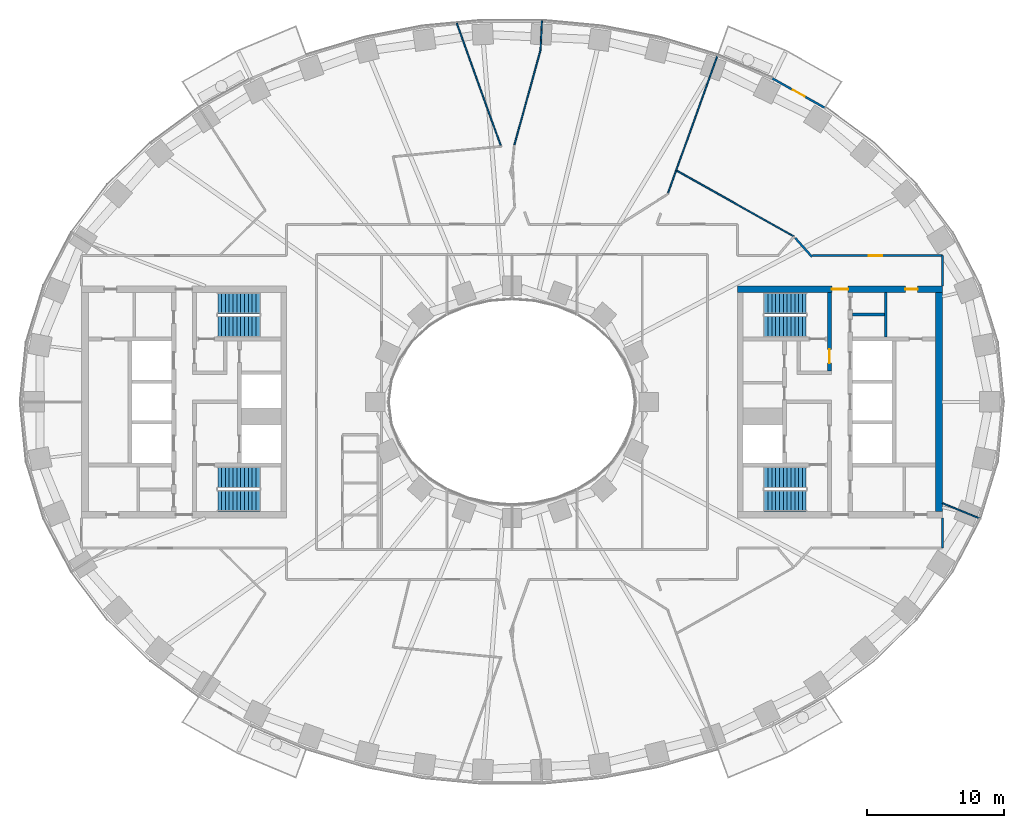
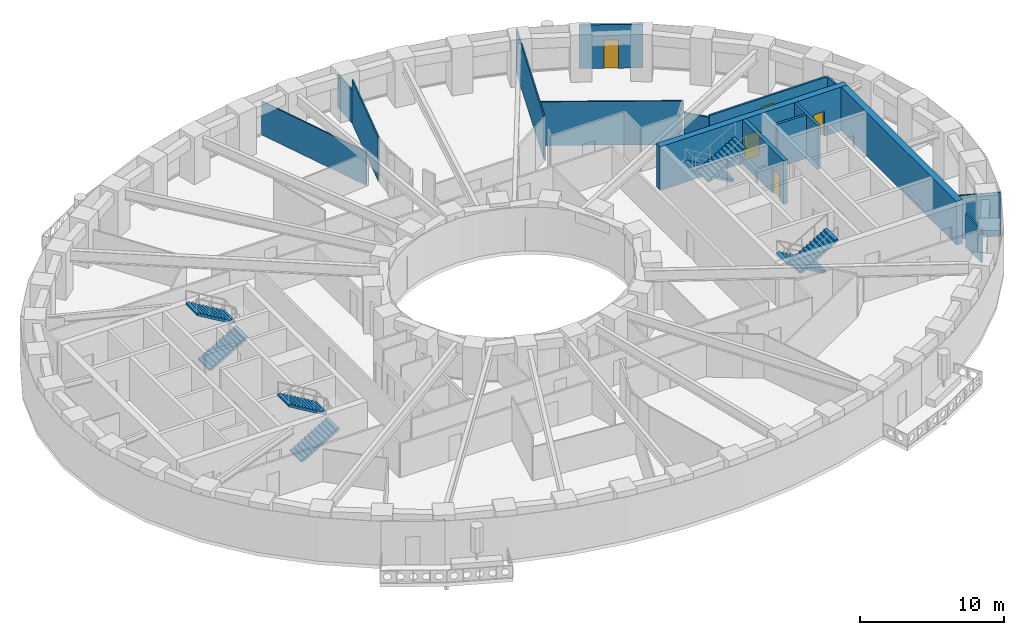
# One storey, part 7 of 15: 16 walls, 8 stair flights, 5 doors, 5 openings, 4 elements without a shape of their own.
"""IFC4 building model written with IfcOpenShell, lengths in metres."""

from ifc_helpers import new_model, si_unit, direction, frame, frame_2d, origin, place, context, subcontext, project, spatial, polyline, rectangle, outline, extrude, material, layer, layer_set, type_object, element, fill, aggregate, save


model = new_model("IFC4")

# Units and contexts
model_context = context("Model", 3, precision=1e-05, world=origin(), true_north=direction((0.0, 1.0)))
body_context = subcontext(model_context, "Body", "Model", "MODEL_VIEW")
ifc_project = project(units=[si_unit("LENGTHUNIT", "METRE"), si_unit("AREAUNIT", "SQUARE_METRE"), si_unit("VOLUMEUNIT", "CUBIC_METRE"), si_unit("PLANEANGLEUNIT", "RADIAN"), si_unit("MASSUNIT", "GRAM", prefix="KILO")], contexts=[model_context])

# Site, building, storey
site_placement = place(None, origin())
site = spatial("IfcSite", under=ifc_project, at=site_placement, CompositionType="ELEMENT")
building_placement = place(site_placement, origin())
building = spatial("IfcBuilding", under=site, at=building_placement, Name="Noorbagh Ring Tower", CompositionType="ELEMENT")
storey_placement = place(building_placement, frame((0.0, 0.0, 50.5)))
storey = spatial("IfcBuildingStorey", under=building, at=storey_placement, Name="L10", CompositionType="ELEMENT", Elevation=50.5)

# Walls
ifc_material_1 = material(Name="Gypsum board on steel studs", Category="steel")
ifc_layer_1 = layer(ifc_material_1, 0.199951171875)
ifc_layer_set_1 = layer_set([ifc_layer_1], Name="Gypsum board on steel studs")
wall_type_1 = type_object("IfcWallType", Name="CORE-PARTITION-200", PredefinedType="PARTITIONING", material=ifc_layer_set_1)
wall_1_placement = place(storey_placement, frame((27.35009765625, 4.75, 0.0), z_axis=(0.0, 0.0, 1.0), x_axis=(0.0, 1.0, 0.0)))
element("IfcWall", 1, at=wall_1_placement, inside=storey, type_object=wall_type_1, Name="Core partition E", PredefinedType="PARTITIONING", context=body_context, shape_type="SweptSolid", body=[
    extrude(rectangle(XDim=3.25, YDim=0.199951171875, at=frame_2d((1.625, 0.0))), origin(), (0.0, 0.0, 1.0), 3.699951171875),
])
wall_2_placement = place(storey_placement, frame((24.89990234375, 6.39990234375, 0.0), z_axis=(0.0, 0.0, 1.0), x_axis=(1.0, 0.0, 0.0)))
element("IfcWall", 2, at=wall_2_placement, inside=storey, type_object=wall_type_1, Name="Core partition E", PredefinedType="PARTITIONING", context=body_context, shape_type="SweptSolid", body=[
    extrude(rectangle(XDim=2.35009765625, YDim=0.199951171875, at=frame_2d((1.175048828125, 0.0))), origin(), (0.0, 0.0, 1.0), 3.699951171875),
])

# Wall, opening, door
ifc_material_2 = material(Name="Concrete C70/85", Category="concrete")
ifc_layer_2 = layer(ifc_material_2, 0.300048828125)
ifc_layer_set_2 = layer_set([ifc_layer_2], Name="Concrete C70/85")
wall_type_2 = type_object("IfcWallType", Name="CORE-WALL-300-C70-85-EI240", PredefinedType="SHEAR", material=ifc_layer_set_2)
wall_3_placement = place(storey_placement, frame((23.22998046875, 2.25, 0.0), z_axis=(0.0, 0.0, 1.0), x_axis=(0.0, 1.0, 0.0)))
wall_3 = element("IfcWall", 3, at=wall_3_placement, inside=storey, type_object=wall_type_2, Name="Core wall E", PredefinedType="SHEAR", context=body_context, shape_type="SweptSolid", body=[
    extrude(rectangle(XDim=5.75, YDim=0.300048828125, at=frame_2d((2.875, 0.0))), origin(), (0.0, 0.0, 1.0), 3.699951171875),
])
opening_1_placement = place(wall_3_placement, frame((0.60009765625, 0.0, 0.0)))
opening_1 = element("IfcOpeningElement", 4, at=opening_1_placement, cuts=wall_3, Name="Opening L10-CE08", PredefinedType="OPENING", context=body_context, shape_type="SweptSolid", body=[
    extrude(rectangle(XDim=1.0, YDim=2.10009765625, at=frame_2d((0.5, 1.050048828125))), frame((0.0, 0.16015625, 0.0), z_axis=(0.0, -1.0, 0.0), x_axis=(1.0, 0.0, 0.0)), (0.0, 0.0, 1.0), 0.320068359375),
])
ifc_material_3 = material(Name="Steel door leaf", Category="steel")
door_type_1 = type_object("IfcDoorType", Name="CORE-DOOR-DVEST", OperationType="SINGLE_SWING_LEFT", PredefinedType="DOOR", material=ifc_material_3)
door_1_placement = place(opening_1_placement, origin())
door_1 = element("IfcDoor", 5, at=door_1_placement, inside=storey, type_object=door_type_1, Name="Stair vestibule door L10-CE08", OperationType="SINGLE_SWING_RIGHT", OverallHeight=2.10009765625, OverallWidth=1.0, PredefinedType="DOOR", context=body_context, shape_type="SweptSolid", body=[
    extrude(rectangle(XDim=1.0, YDim=2.10009765625, at=frame_2d((0.5, 1.050048828125))), frame((0.0, 0.02490234375, 0.0), z_axis=(0.0, -1.0, 0.0), x_axis=(1.0, 0.0, 0.0)), (0.0, 0.0, 1.0), 0.050048828125),
])
fill(opening_1, door_1)

# Wall, openings, doors
ifc_material_4 = material(Name="Concrete C70/85", Category="concrete")
ifc_layer_3 = layer(ifc_material_4, 0.5)
ifc_layer_set_3 = layer_set([ifc_layer_3], Name="Concrete C70/85")
wall_type_3 = type_object("IfcWallType", Name="CORE-WALL-500-C70-85-EI240", PredefinedType="SHEAR", material=ifc_layer_set_3)
wall_4_placement = place(storey_placement, frame((16.5, 8.25, 0.0), z_axis=(0.0, 0.0, 1.0), x_axis=(1.0, 0.0, 0.0)))
wall_4 = element("IfcWall", 6, at=wall_4_placement, inside=storey, type_object=wall_type_3, Name="Core wall E", PredefinedType="SHEAR", context=body_context, shape_type="SweptSolid", body=[
    extrude(rectangle(XDim=15.0, YDim=0.5, at=frame_2d((7.5, 0.0))), origin(), (0.0, 0.0, 1.0), 3.699951171875),
])
opening_2_placement = place(wall_4_placement, frame((6.89990234375, 0.0, 0.0)))
opening_2 = element("IfcOpeningElement", 7, at=opening_2_placement, cuts=wall_4, Name="Opening L10-CE09", PredefinedType="OPENING", context=body_context, shape_type="SweptSolid", body=[
    extrude(rectangle(XDim=1.199951171875, YDim=2.10009765625, at=frame_2d((0.60009765625, 1.050048828125))), frame((0.0, 0.260009765625, 0.0), z_axis=(0.0, -1.0, 0.0), x_axis=(1.0, 0.0, 0.0)), (0.0, 0.0, 1.0), 0.52001953125),
])
opening_3_placement = place(wall_4_placement, frame((12.27490234375, 0.0, 0.0)))
opening_3 = element("IfcOpeningElement", 8, at=opening_3_placement, cuts=wall_4, Name="Opening L10-CE15", PredefinedType="OPENING", context=body_context, shape_type="SweptSolid", body=[
    extrude(rectangle(XDim=0.89990234375, YDim=2.10009765625, at=frame_2d((0.449951171875, 1.050048828125))), frame((0.0, 0.260009765625, 0.0), z_axis=(0.0, -1.0, 0.0), x_axis=(1.0, 0.0, 0.0)), (0.0, 0.0, 1.0), 0.52001953125),
])
ifc_material_5 = material(Name="Steel door leaf", Category="steel")
door_type_2 = type_object("IfcDoorType", Name="CORE-DOOR-DROOM", OperationType="SINGLE_SWING_LEFT", PredefinedType="DOOR", material=ifc_material_5)
door_2_placement = place(opening_3_placement, origin())
door_2 = element("IfcDoor", 9, at=door_2_placement, inside=storey, type_object=door_type_2, Name="Core room door L10-CE15", OperationType="SINGLE_SWING_LEFT", OverallHeight=2.10009765625, OverallWidth=0.89990234375, PredefinedType="DOOR", context=body_context, shape_type="SweptSolid", body=[
    extrude(rectangle(XDim=0.89990234375, YDim=2.10009765625, at=frame_2d((0.449951171875, 1.050048828125))), frame((0.0, 0.02490234375, 0.0), z_axis=(0.0, -1.0, 0.0), x_axis=(1.0, 0.0, 0.0)), (0.0, 0.0, 1.0), 0.050048828125),
])
fill(opening_3, door_2)
ifc_material_6 = material(Name="Steel door leaf", Category="steel")
door_type_3 = type_object("IfcDoorType", Name="CORE-DOOR-PORT", OperationType="DOUBLE_DOOR_DOUBLE_SWING", PredefinedType="DOOR", material=ifc_material_6)
door_3_placement = place(opening_2_placement, origin())
door_3 = element("IfcDoor", 10, at=door_3_placement, inside=storey, type_object=door_type_3, Name="Core entrance door L10-CE09", OperationType="DOUBLE_DOOR_DOUBLE_SWING", OverallHeight=2.10009765625, OverallWidth=1.199951171875, PredefinedType="DOOR", context=body_context, shape_type="SweptSolid", body=[
    extrude(rectangle(XDim=1.199951171875, YDim=2.10009765625, at=frame_2d((0.60009765625, 1.050048828125))), frame((0.0, 0.02490234375, 0.0), z_axis=(0.0, -1.0, 0.0), x_axis=(1.0, 0.0, 0.0)), (0.0, 0.0, 1.0), 0.050048828125),
])
fill(opening_2, door_3)

# Walls
wall_5_placement = place(storey_placement, frame((31.25, -8.0, 0.0), z_axis=(0.0, 0.0, 1.0), x_axis=(0.0, 1.0, 0.0)))
element("IfcWall", 11, at=wall_5_placement, inside=storey, type_object=wall_type_3, Name="Core wall E", PredefinedType="SHEAR", context=body_context, shape_type="SweptSolid", body=[
    extrude(rectangle(XDim=16.0, YDim=0.5, at=frame_2d((8.0, 0.0))), origin(), (0.0, 0.0, 1.0), 3.699951171875),
])
ifc_material_7 = material(Name="Gypsum board on steel studs", Category="steel")
ifc_layer_4 = layer(ifc_material_7, 0.14990234375)
ifc_layer_set_4 = layer_set([ifc_layer_4], Name="Gypsum board on steel studs")
wall_type_4 = type_object("IfcWallType", Name="CORRIDOR PARTITION 150 EI 30", PredefinedType="PARTITIONING", material=ifc_layer_set_4)
wall_6_placement = place(storey_placement, frame((20.72705078125, 11.993896484375, 0.0), z_axis=(0.0, 0.0, 1.0), x_axis=(0.663767495264, -0.747938976275, 0.0)))
element("IfcWall", 12, at=wall_6_placement, inside=storey, type_object=wall_type_4, Name="L10/wall/P81", PredefinedType="PARTITIONING", context=body_context, shape_type="SweptSolid", body=[
    extrude(rectangle(XDim=1.830322265625, YDim=0.14990234375, at=frame_2d((0.9150390625, 0.0))), origin(), (0.0, 0.0, 1.0), 2.75),
])

# Wall, opening, door
wall_7_placement = place(storey_placement, frame((21.97509765625, 10.699951171875, 0.0), z_axis=(0.0, 0.0, 1.0), x_axis=(1.0, 0.0, 0.0)))
wall_7 = element("IfcWall", 13, at=wall_7_placement, inside=storey, type_object=wall_type_4, Name="L10/wall/P83", PredefinedType="PARTITIONING", context=body_context, shape_type="SweptSolid", body=[
    extrude(rectangle(XDim=9.52490234375, YDim=0.14990234375, at=frame_2d((4.762451171875, 0.0))), origin(), (0.0, 0.0, 1.0), 2.85009765625),
])
opening_4_placement = place(wall_7_placement, frame((4.125, 0.0, 0.0)))
opening_4 = element("IfcOpeningElement", 14, at=opening_4_placement, cuts=wall_7, Name="Opening D1", PredefinedType="OPENING", context=body_context, shape_type="SweptSolid", body=[
    extrude(rectangle(XDim=1.0, YDim=2.10009765625, at=frame_2d((0.5, 1.050048828125))), frame((0.0, 0.0849609375, 0.0), z_axis=(0.0, -1.0, 0.0), x_axis=(1.0, 0.0, 0.0)), (0.0, 0.0, 1.0), 0.169921875),
])
ifc_material_8 = material(Name="Timber, painted", Category="wood")
door_type_4 = type_object("IfcDoorType", Name="DOOR 1000 X 2100 FD30", OperationType="SINGLE_SWING_LEFT", PredefinedType="DOOR", material=ifc_material_8)
door_4_placement = place(opening_4_placement, origin())
door_4 = element("IfcDoor", 15, at=door_4_placement, inside=storey, type_object=door_type_4, Name="L10-D19", OperationType="SINGLE_SWING_LEFT", OverallHeight=2.10009765625, OverallWidth=1.0, PredefinedType="DOOR", context=body_context, shape_type="SweptSolid", body=[
    extrude(rectangle(XDim=1.0, YDim=2.10009765625, at=frame_2d((0.5, 1.050048828125))), frame((0.0, 0.02490234375, 0.0), z_axis=(0.0, -1.0, 0.0), x_axis=(1.0, 0.0, 0.0)), (0.0, 0.0, 1.0), 0.050048828125),
])
fill(opening_4, door_4)

# Walls
for number, where, z_axis, x_axis, name in (
    (16, (31.5, -10.699951171875, 0.0), (0.0, 0.0, 1.0), (0.0, 1.0, 0.0), "L10/wall/P84"),
    (17, (31.5, 8.5, 0.0), (0.0, 0.0, 1.0), (0.0, 1.0, 0.0), "L10/wall/P86"),
):
    element("IfcWall", number, at=place(storey_placement, frame(where, z_axis=z_axis, x_axis=x_axis)), inside=storey, type_object=wall_type_4, Name=name, PredefinedType="PARTITIONING", context=body_context, shape_type="SweptSolid", body=[
        extrude(rectangle(XDim=2.199951171875, YDim=0.14990234375, at=frame_2d((1.10009765625, 0.0))), origin(), (0.0, 0.0, 1.0), 2.85009765625),
    ])

# Wall, opening, door
ifc_material_9 = material(Name="Insulated aluminium clad panel", Category="aluminium")
ifc_layer_5 = layer(ifc_material_9, 0.14990234375)
ifc_layer_set_5 = layer_set([ifc_layer_5], Name="Insulated aluminium clad panel")
wall_type_5 = type_object("IfcWallType", Name="ENV-WALL-DOOR", PredefinedType="STANDARD", material=ifc_layer_set_5)
wall_8_placement = place(storey_placement, frame((22.913330078125, 21.508544921875, 0.0), z_axis=(0.0, 0.0, 1.0), x_axis=(-0.872046572975, 0.489422899509, 0.0)))
wall_8 = element("IfcWall", 18, at=wall_8_placement, inside=storey, type_object=wall_type_5, Name="Balcony door wall chord 07", PredefinedType="STANDARD", context=body_context, shape_type="SweptSolid", body=[
    extrude(rectangle(XDim=4.425537109375, YDim=0.14990234375, at=frame_2d((2.212890625, 0.0))), origin(), (0.0, 0.0, 1.0), 3.699951171875),
])
opening_5_placement = place(wall_8_placement, frame((1.712646484375, 0.0, 0.0)))
opening_5 = element("IfcOpeningElement", 19, at=opening_5_placement, cuts=wall_8, Name="Opening D-BL", PredefinedType="OPENING", context=body_context, shape_type="SweptSolid", body=[
    extrude(rectangle(XDim=1.0, YDim=2.39990234375, at=frame_2d((0.5, 1.199951171875))), frame((0.0, 0.0849609375, 0.0), z_axis=(0.0, -1.0, 0.0), x_axis=(1.0, 0.0, 0.0)), (0.0, 0.0, 1.0), 0.169921875),
])
ifc_material_10 = material(Name="Aluminium and glass", Category="aluminium")
door_type_5 = type_object("IfcDoorType", Name="ENV-DOOR-BALCONY", OperationType="SINGLE_SWING_LEFT", PredefinedType="DOOR", material=ifc_material_10)
door_5_placement = place(opening_5_placement, origin())
door_5 = element("IfcDoor", 20, at=door_5_placement, inside=storey, type_object=door_type_5, Name="Balcony door chord 07", OperationType="SINGLE_SWING_LEFT", OverallHeight=2.39990234375, OverallWidth=1.0, PredefinedType="DOOR", context=body_context, shape_type="SweptSolid", body=[
    extrude(rectangle(XDim=1.0, YDim=2.39990234375, at=frame_2d((0.5, 1.199951171875))), frame((0.0, 0.02490234375, 0.0), z_axis=(0.0, -1.0, 0.0), x_axis=(1.0, 0.0, 0.0)), (0.0, 0.0, 1.0), 0.050048828125),
])
fill(opening_5, door_5)

# Walls
ifc_material_11 = material(Name="Gypsum board on steel studs", Category="steel")
ifc_layer_6 = layer(ifc_material_11, 0.10009765625)
ifc_layer_set_6 = layer_set([ifc_layer_6], Name="Gypsum board on steel studs")
wall_type_6 = type_object("IfcWallType", Name="PARTITION 100 GYPSUM", PredefinedType="PARTITIONING", material=ifc_layer_set_6)
wall_9_placement = place(storey_placement, frame((-4.0458984375, 27.717041015625, 0.0), z_axis=(0.0, 0.0, 1.0), x_axis=(0.338447260677, -0.940985362129, 0.0)))
element("IfcWall", 21, at=wall_9_placement, inside=storey, type_object=wall_type_6, Name="L10/wall/P37", PredefinedType="PARTITIONING", context=body_context, shape_type="SweptSolid", body=[
    extrude(rectangle(XDim=9.5283203125, YDim=0.10009765625, at=frame_2d((4.76416015625, 0.0))), origin(), (0.0, 0.0, 1.0), 2.85009765625),
])
wall_10_placement = place(storey_placement, frame((0.172119140625, 18.7958984375, 0.0), z_axis=(0.0, 0.0, 1.0), x_axis=(0.265628515821, 0.964075459486, 0.0)))
element("IfcWall", 22, at=wall_10_placement, inside=storey, type_object=wall_type_6, Name="L10/wall/P51", PredefinedType="PARTITIONING", context=body_context, shape_type="SweptSolid", body=[
    extrude(rectangle(XDim=7.212158203125, YDim=0.10009765625, at=frame_2d((3.60595703125, 0.0))), origin(), (0.0, 0.0, 1.0), 3.699951171875),
])
wall_11_placement = place(storey_placement, frame((2.089111328125, 25.77001953125, 0.0), z_axis=(0.0, 0.0, 1.0), x_axis=(0.04733101585, 0.99887925944, 0.0)))
element("IfcWall", 23, at=wall_11_placement, inside=storey, type_object=wall_type_6, Name="L10/wall/P57", PredefinedType="PARTITIONING", context=body_context, shape_type="SweptSolid", body=[
    extrude(rectangle(XDim=2.13037109375, YDim=0.10009765625, at=frame_2d((1.065185546875, 0.0))), origin(), (0.0, 0.0, 1.0), 2.85009765625),
])
wall_12_placement = place(storey_placement, frame((11.4169921875, 15.281982421875, 0.0), z_axis=(0.0, 0.0, 1.0), x_axis=(0.338283704349, 0.941044172912, 0.0)))
element("IfcWall", 24, at=wall_12_placement, inside=storey, type_object=wall_type_6, Name="L10/wall/P70", PredefinedType="PARTITIONING", context=body_context, shape_type="SweptSolid", body=[
    extrude(rectangle(XDim=10.73388671875, YDim=0.10009765625, at=frame_2d((5.366943359375, 0.0))), origin(), (0.0, 0.0, 1.0), 3.699951171875),
])
wall_13_placement = place(storey_placement, frame((12.06005859375, 16.924072265625, 0.0), z_axis=(0.0, 0.0, 1.0), x_axis=(0.871847863021, -0.489776789718, 0.0)))
element("IfcWall", 25, at=wall_13_placement, inside=storey, type_object=wall_type_6, Name="L10/wall/P72", PredefinedType="PARTITIONING", context=body_context, shape_type="SweptSolid", body=[
    extrude(rectangle(XDim=9.83544921875, YDim=0.10009765625, at=frame_2d((4.917724609375, 0.0))), origin(), (0.0, 0.0, 1.0), 3.699951171875),
])
wall_14_placement = place(storey_placement, frame((31.5, -7.409912109375, 0.0), z_axis=(0.0, 0.0, 1.0), x_axis=(0.925344112436, -0.379128307542, 0.0)))
element("IfcWall", 26, at=wall_14_placement, inside=storey, type_object=wall_type_6, Name="L10/wall/P85", PredefinedType="PARTITIONING", context=body_context, shape_type="SweptSolid", body=[
    extrude(rectangle(XDim=2.954345703125, YDim=0.10009765625, at=frame_2d((1.47705078125, 0.0))), origin(), (0.0, 0.0, 1.0), 3.699951171875),
])

# Stair, stair flights
ifc_material_12 = material(Name="Concrete C40/50", Category="concrete")
stair_type = type_object("IfcStairType", Name="CORE-STAIR", PredefinedType="HALF_TURN_STAIR", material=ifc_material_12)
stair_1_placement = place(storey_placement, origin())
stair_1 = element("IfcStair", 27, at=stair_1_placement, inside=storey, type_object=stair_type, Name="L10 Exit stair ST1", PredefinedType="HALF_TURN_STAIR")
ifc_material_13 = material(Name="Concrete C40/50", Category="concrete")
stair_flight_type = type_object("IfcStairFlightType", Name="CORE-STAIR-FLIGHT", PredefinedType="STRAIGHT", material=ifc_material_13)
stair_flight_1_placement = place(storey_placement, frame((-21.530029296875, 5.52490234375, 0.0), z_axis=(0.0, 0.0, 1.0), x_axis=(1.0, 0.0, 0.0)))
stair_flight_1 = element("IfcStairFlight", 28, at=stair_flight_1_placement, type_object=stair_flight_type, Name="ST1 flight 1", NumberOfRisers=12, NumberOfTreads=11, PredefinedType="STRAIGHT", RiserHeight=0.166666667, TreadLength=0.28, context=body_context, shape_type="SweptSolid", body=[
    extrude(outline(polyline([(0.0, 0.0), (0.0, 0.166748046875), (0.280029296875, 0.166748046875), (0.280029296875, 0.333251953125), (0.56005859375, 0.333251953125), (0.56005859375, 0.5), (0.840087890625, 0.5), (0.840087890625, 0.666748046875), (1.1201171875, 0.666748046875), (1.1201171875, 0.833251953125), (1.39990234375, 0.833251953125), (1.39990234375, 1.0), (1.679931640625, 1.0), (1.679931640625, 1.166748046875), (1.9599609375, 1.166748046875), (1.9599609375, 1.333251953125), (2.239990234375, 1.333251953125), (2.239990234375, 1.5), (2.52001953125, 1.5), (2.52001953125, 1.666748046875), (2.800048828125, 1.666748046875), (2.800048828125, 1.833251953125), (3.080078125, 1.833251953125), (3.080078125, 2.0), (3.080078125, 1.658935546875), (0.29296875, 0.0), (0.0, 0.0)])), frame((0.0, 0.77490234375, 0.0), z_axis=(0.0, -1.0, 0.0), x_axis=(1.0, 0.0, 0.0)), (0.0, 0.0, 1.0), 1.550048828125),
])
stair_flight_2_placement = place(storey_placement, frame((-18.449951171875, 7.22509765625, 2.0), z_axis=(0.0, 0.0, 1.0), x_axis=(-1.0, 0.0, 0.0)))
stair_flight_2 = element("IfcStairFlight", 29, at=stair_flight_2_placement, type_object=stair_flight_type, Name="ST1 flight 2", NumberOfRisers=12, NumberOfTreads=11, PredefinedType="STRAIGHT", RiserHeight=0.166666667, TreadLength=0.28, context=body_context, shape_type="SweptSolid", body=[
    extrude(outline(polyline([(0.0, 0.0), (0.0, 0.166748046875), (0.280029296875, 0.166748046875), (0.280029296875, 0.333251953125), (0.56005859375, 0.333251953125), (0.56005859375, 0.5), (0.840087890625, 0.5), (0.840087890625, 0.666748046875), (1.1201171875, 0.666748046875), (1.1201171875, 0.833251953125), (1.39990234375, 0.833251953125), (1.39990234375, 1.0), (1.679931640625, 1.0), (1.679931640625, 1.166748046875), (1.9599609375, 1.166748046875), (1.9599609375, 1.333251953125), (2.239990234375, 1.333251953125), (2.239990234375, 1.5), (2.52001953125, 1.5), (2.52001953125, 1.666748046875), (2.800048828125, 1.666748046875), (2.800048828125, 1.833251953125), (3.080078125, 1.833251953125), (3.080078125, 2.0), (3.080078125, 1.658935546875), (0.29296875, 0.0), (0.0, 0.0)])), frame((0.0, 0.77490234375, 0.0), z_axis=(0.0, -1.0, 0.0), x_axis=(1.0, 0.0, 0.0)), (0.0, 0.0, 1.0), 1.550048828125),
])
aggregate(stair_1, [stair_flight_1, stair_flight_2])

stair_2_placement = place(storey_placement, origin())
stair_2 = element("IfcStair", 30, at=stair_2_placement, inside=storey, type_object=stair_type, Name="L10 Exit stair ST2", PredefinedType="HALF_TURN_STAIR")
stair_flight_3_placement = place(storey_placement, frame((-21.530029296875, -7.22509765625, 0.0), z_axis=(0.0, 0.0, 1.0), x_axis=(1.0, 0.0, 0.0)))
stair_flight_3 = element("IfcStairFlight", 31, at=stair_flight_3_placement, type_object=stair_flight_type, Name="ST2 flight 1", NumberOfRisers=12, NumberOfTreads=11, PredefinedType="STRAIGHT", RiserHeight=0.166666667, TreadLength=0.28, context=body_context, shape_type="SweptSolid", body=[
    extrude(outline(polyline([(0.0, 0.0), (0.0, 0.166748046875), (0.280029296875, 0.166748046875), (0.280029296875, 0.333251953125), (0.56005859375, 0.333251953125), (0.56005859375, 0.5), (0.840087890625, 0.5), (0.840087890625, 0.666748046875), (1.1201171875, 0.666748046875), (1.1201171875, 0.833251953125), (1.39990234375, 0.833251953125), (1.39990234375, 1.0), (1.679931640625, 1.0), (1.679931640625, 1.166748046875), (1.9599609375, 1.166748046875), (1.9599609375, 1.333251953125), (2.239990234375, 1.333251953125), (2.239990234375, 1.5), (2.52001953125, 1.5), (2.52001953125, 1.666748046875), (2.800048828125, 1.666748046875), (2.800048828125, 1.833251953125), (3.080078125, 1.833251953125), (3.080078125, 2.0), (3.080078125, 1.658935546875), (0.29296875, 0.0), (0.0, 0.0)])), frame((0.0, 0.77490234375, 0.0), z_axis=(0.0, -1.0, 0.0), x_axis=(1.0, 0.0, 0.0)), (0.0, 0.0, 1.0), 1.550048828125),
])
stair_flight_4_placement = place(storey_placement, frame((-18.449951171875, -5.52490234375, 2.0), z_axis=(0.0, 0.0, 1.0), x_axis=(-1.0, 0.0, 0.0)))
stair_flight_4 = element("IfcStairFlight", 32, at=stair_flight_4_placement, type_object=stair_flight_type, Name="ST2 flight 2", NumberOfRisers=12, NumberOfTreads=11, PredefinedType="STRAIGHT", RiserHeight=0.166666667, TreadLength=0.28, context=body_context, shape_type="SweptSolid", body=[
    extrude(outline(polyline([(0.0, 0.0), (0.0, 0.166748046875), (0.280029296875, 0.166748046875), (0.280029296875, 0.333251953125), (0.56005859375, 0.333251953125), (0.56005859375, 0.5), (0.840087890625, 0.5), (0.840087890625, 0.666748046875), (1.1201171875, 0.666748046875), (1.1201171875, 0.833251953125), (1.39990234375, 0.833251953125), (1.39990234375, 1.0), (1.679931640625, 1.0), (1.679931640625, 1.166748046875), (1.9599609375, 1.166748046875), (1.9599609375, 1.333251953125), (2.239990234375, 1.333251953125), (2.239990234375, 1.5), (2.52001953125, 1.5), (2.52001953125, 1.666748046875), (2.800048828125, 1.666748046875), (2.800048828125, 1.833251953125), (3.080078125, 1.833251953125), (3.080078125, 2.0), (3.080078125, 1.658935546875), (0.29296875, 0.0), (0.0, 0.0)])), frame((0.0, 0.77490234375, 0.0), z_axis=(0.0, -1.0, 0.0), x_axis=(1.0, 0.0, 0.0)), (0.0, 0.0, 1.0), 1.550048828125),
])
aggregate(stair_2, [stair_flight_3, stair_flight_4])

stair_3_placement = place(storey_placement, origin())
stair_3 = element("IfcStair", 33, at=stair_3_placement, inside=storey, type_object=stair_type, Name="L10 Exit stair ST3", PredefinedType="HALF_TURN_STAIR")
stair_flight_5_placement = place(storey_placement, frame((21.530029296875, 7.22509765625, 0.0), z_axis=(0.0, 0.0, 1.0), x_axis=(-1.0, 0.0, 0.0)))
stair_flight_5 = element("IfcStairFlight", 34, at=stair_flight_5_placement, type_object=stair_flight_type, Name="ST3 flight 1", NumberOfRisers=12, NumberOfTreads=11, PredefinedType="STRAIGHT", RiserHeight=0.166666667, TreadLength=0.28, context=body_context, shape_type="SweptSolid", body=[
    extrude(outline(polyline([(0.0, 0.0), (0.0, 0.166748046875), (0.280029296875, 0.166748046875), (0.280029296875, 0.333251953125), (0.56005859375, 0.333251953125), (0.56005859375, 0.5), (0.840087890625, 0.5), (0.840087890625, 0.666748046875), (1.1201171875, 0.666748046875), (1.1201171875, 0.833251953125), (1.39990234375, 0.833251953125), (1.39990234375, 1.0), (1.679931640625, 1.0), (1.679931640625, 1.166748046875), (1.9599609375, 1.166748046875), (1.9599609375, 1.333251953125), (2.239990234375, 1.333251953125), (2.239990234375, 1.5), (2.52001953125, 1.5), (2.52001953125, 1.666748046875), (2.800048828125, 1.666748046875), (2.800048828125, 1.833251953125), (3.080078125, 1.833251953125), (3.080078125, 2.0), (3.080078125, 1.658935546875), (0.29296875, 0.0), (0.0, 0.0)])), frame((0.0, 0.77490234375, 0.0), z_axis=(0.0, -1.0, 0.0), x_axis=(1.0, 0.0, 0.0)), (0.0, 0.0, 1.0), 1.550048828125),
])
stair_flight_6_placement = place(storey_placement, frame((18.449951171875, 5.52490234375, 2.0), z_axis=(0.0, 0.0, 1.0), x_axis=(1.0, 0.0, 0.0)))
stair_flight_6 = element("IfcStairFlight", 35, at=stair_flight_6_placement, type_object=stair_flight_type, Name="ST3 flight 2", NumberOfRisers=12, NumberOfTreads=11, PredefinedType="STRAIGHT", RiserHeight=0.166666667, TreadLength=0.28, context=body_context, shape_type="SweptSolid", body=[
    extrude(outline(polyline([(0.0, 0.0), (0.0, 0.166748046875), (0.280029296875, 0.166748046875), (0.280029296875, 0.333251953125), (0.56005859375, 0.333251953125), (0.56005859375, 0.5), (0.840087890625, 0.5), (0.840087890625, 0.666748046875), (1.1201171875, 0.666748046875), (1.1201171875, 0.833251953125), (1.39990234375, 0.833251953125), (1.39990234375, 1.0), (1.679931640625, 1.0), (1.679931640625, 1.166748046875), (1.9599609375, 1.166748046875), (1.9599609375, 1.333251953125), (2.239990234375, 1.333251953125), (2.239990234375, 1.5), (2.52001953125, 1.5), (2.52001953125, 1.666748046875), (2.800048828125, 1.666748046875), (2.800048828125, 1.833251953125), (3.080078125, 1.833251953125), (3.080078125, 2.0), (3.080078125, 1.658935546875), (0.29296875, 0.0), (0.0, 0.0)])), frame((0.0, 0.77490234375, 0.0), z_axis=(0.0, -1.0, 0.0), x_axis=(1.0, 0.0, 0.0)), (0.0, 0.0, 1.0), 1.550048828125),
])
aggregate(stair_3, [stair_flight_5, stair_flight_6])

stair_4_placement = place(storey_placement, origin())
stair_4 = element("IfcStair", 36, at=stair_4_placement, inside=storey, type_object=stair_type, Name="L10 Exit stair ST4", PredefinedType="HALF_TURN_STAIR")
stair_flight_7_placement = place(storey_placement, frame((21.530029296875, -5.52490234375, 0.0), z_axis=(0.0, 0.0, 1.0), x_axis=(-1.0, 0.0, 0.0)))
stair_flight_7 = element("IfcStairFlight", 37, at=stair_flight_7_placement, type_object=stair_flight_type, Name="ST4 flight 1", NumberOfRisers=12, NumberOfTreads=11, PredefinedType="STRAIGHT", RiserHeight=0.166666667, TreadLength=0.28, context=body_context, shape_type="SweptSolid", body=[
    extrude(outline(polyline([(0.0, 0.0), (0.0, 0.166748046875), (0.280029296875, 0.166748046875), (0.280029296875, 0.333251953125), (0.56005859375, 0.333251953125), (0.56005859375, 0.5), (0.840087890625, 0.5), (0.840087890625, 0.666748046875), (1.1201171875, 0.666748046875), (1.1201171875, 0.833251953125), (1.39990234375, 0.833251953125), (1.39990234375, 1.0), (1.679931640625, 1.0), (1.679931640625, 1.166748046875), (1.9599609375, 1.166748046875), (1.9599609375, 1.333251953125), (2.239990234375, 1.333251953125), (2.239990234375, 1.5), (2.52001953125, 1.5), (2.52001953125, 1.666748046875), (2.800048828125, 1.666748046875), (2.800048828125, 1.833251953125), (3.080078125, 1.833251953125), (3.080078125, 2.0), (3.080078125, 1.658935546875), (0.29296875, 0.0), (0.0, 0.0)])), frame((0.0, 0.77490234375, 0.0), z_axis=(0.0, -1.0, 0.0), x_axis=(1.0, 0.0, 0.0)), (0.0, 0.0, 1.0), 1.550048828125),
])
stair_flight_8_placement = place(storey_placement, frame((18.449951171875, -7.22509765625, 2.0), z_axis=(0.0, 0.0, 1.0), x_axis=(1.0, 0.0, 0.0)))
stair_flight_8 = element("IfcStairFlight", 38, at=stair_flight_8_placement, type_object=stair_flight_type, Name="ST4 flight 2", NumberOfRisers=12, NumberOfTreads=11, PredefinedType="STRAIGHT", RiserHeight=0.166666667, TreadLength=0.28, context=body_context, shape_type="SweptSolid", body=[
    extrude(outline(polyline([(0.0, 0.0), (0.0, 0.166748046875), (0.280029296875, 0.166748046875), (0.280029296875, 0.333251953125), (0.56005859375, 0.333251953125), (0.56005859375, 0.5), (0.840087890625, 0.5), (0.840087890625, 0.666748046875), (1.1201171875, 0.666748046875), (1.1201171875, 0.833251953125), (1.39990234375, 0.833251953125), (1.39990234375, 1.0), (1.679931640625, 1.0), (1.679931640625, 1.166748046875), (1.9599609375, 1.166748046875), (1.9599609375, 1.333251953125), (2.239990234375, 1.333251953125), (2.239990234375, 1.5), (2.52001953125, 1.5), (2.52001953125, 1.666748046875), (2.800048828125, 1.666748046875), (2.800048828125, 1.833251953125), (3.080078125, 1.833251953125), (3.080078125, 2.0), (3.080078125, 1.658935546875), (0.29296875, 0.0), (0.0, 0.0)])), frame((0.0, 0.77490234375, 0.0), z_axis=(0.0, -1.0, 0.0), x_axis=(1.0, 0.0, 0.0)), (0.0, 0.0, 1.0), 1.550048828125),
])
aggregate(stair_4, [stair_flight_7, stair_flight_8])

save(model, "model.ifc")
